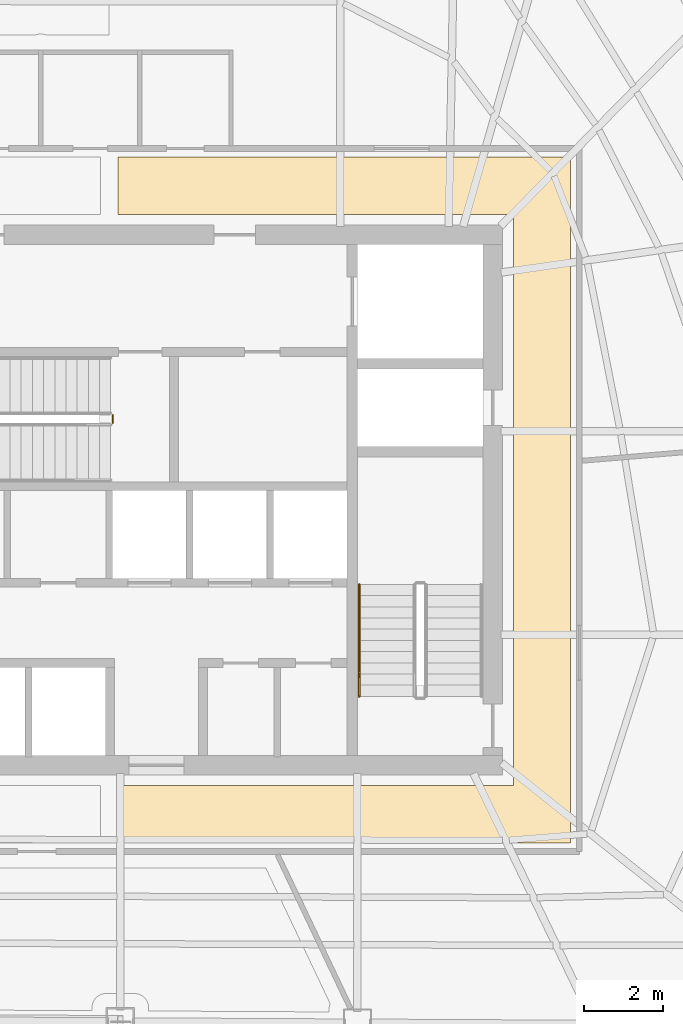
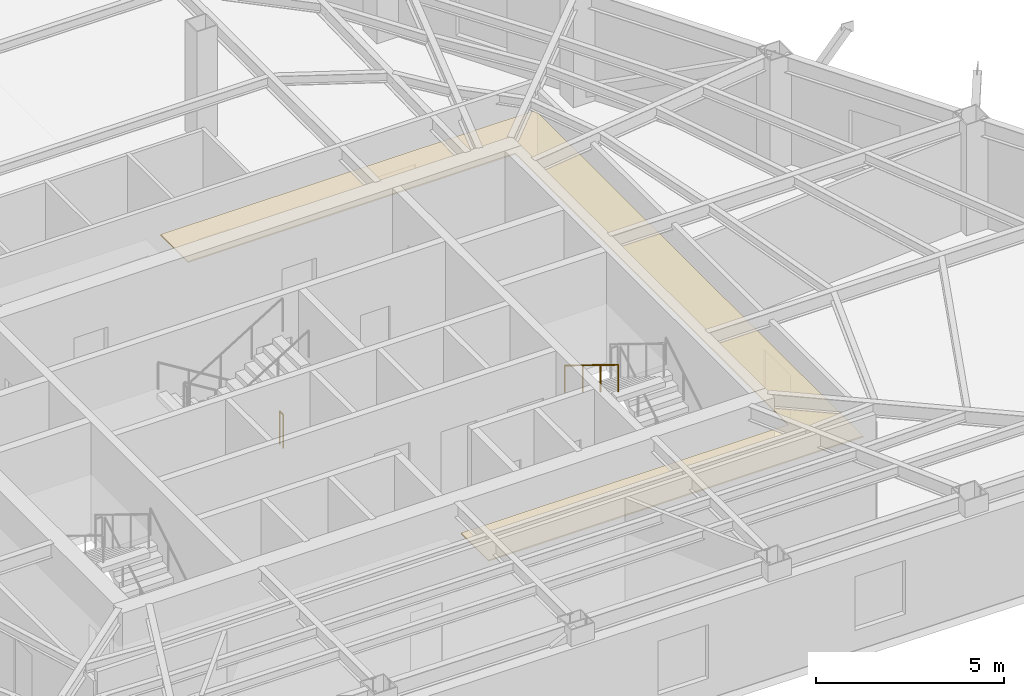
# One storey, part 11 of 13: 2 railings, 1 covering.
"""IFC4 building model written with IfcOpenShell, lengths in metres."""

from ifc_helpers import new_model, si_unit, direction, frame, origin, origin_2d, place, context, subcontext, project, spatial, polyline, circle, outline, extrude, material, layer, layer_set, type_object, element, save


model = new_model("IFC4")

# Units and contexts
model_context = context("Model", 3, precision=1e-05, world=origin(), true_north=direction((0.0, 1.0)))
body_context = subcontext(model_context, "Body", "Model", "MODEL_VIEW")
ifc_project = project(units=[si_unit("LENGTHUNIT", "METRE"), si_unit("AREAUNIT", "SQUARE_METRE"), si_unit("VOLUMEUNIT", "CUBIC_METRE"), si_unit("PLANEANGLEUNIT", "RADIAN"), si_unit("MASSUNIT", "GRAM", prefix="KILO")], contexts=[model_context])

# Site, building, storey
site_placement = place(None, origin())
site = spatial("IfcSite", under=ifc_project, at=site_placement, CompositionType="ELEMENT")
building_placement = place(site_placement, origin())
building = spatial("IfcBuilding", under=site, at=building_placement, Name="Kavelnor Concourse Tower", CompositionType="ELEMENT")
storey_placement = place(building_placement, frame((0.0, 0.0, 124.0)))
storey = spatial("IfcBuildingStorey", under=building, at=storey_placement, Name="L31", CompositionType="ELEMENT", Elevation=124.0)

# Covering
ifc_material_1 = material(Name="Mineral fibre acoustic ceiling tile")
ifc_layer = layer(ifc_material_1, 0.0400390625, Name="Mineral fibre acoustic ceiling tile")
ifc_layer_set = layer_set([ifc_layer], Name="Mineral fibre acoustic ceiling tile")
covering_type = type_object("IfcCoveringType", Name="COV-CEILING-ACOUSTIC", PredefinedType="CEILING", material=ifc_layer_set)
covering_placement = place(storey_placement, frame((0.0, 0.0, 2.75)))
element("IfcCovering", 1, at=covering_placement, inside=storey, type_object=covering_type, Name="L31 Suspended Acoustic Ceiling", PredefinedType="CEILING", context=body_context, shape_type="SweptSolid", body=[
    extrude(outline(polyline([(49.75, 7.3701171875), (38.22509765625, 7.3701171875), (38.22509765625, 8.830078125), (48.2900390625, 8.830078125), (48.2900390625, 23.3701171875), (38.22509765625, 23.3701171875), (38.22509765625, 24.830078125), (49.75, 24.830078125), (49.75, 7.3701171875)])), origin(), (0.0, 0.0, 1.0), 0.0400390625),
])

# Railings
ifc_material_2 = material(Name="Steel Grade 350", Category="steel")
railing_type_1 = type_object("IfcRailingType", Name="RLG-GUARD-1100", PredefinedType="GUARDRAIL", material=ifc_material_2)
railing_1_placement = place(storey_placement, frame((38.090087890625, 18.260009765625, 0.0)))
element("IfcRailing", 2, at=railing_1_placement, inside=storey, type_object=railing_type_1, Name="L31 ST3 stair guard 4", PredefinedType="GUARDRAIL", context=body_context, shape_type="SweptSolid", body=[
    extrude(circle(Radius=0.02392578125, at=origin_2d()), frame((0.0, 0.0, 1.076171875), z_axis=(0.0, -1.0, 0.0), x_axis=(1.0, 0.0, 0.0)), (0.0, 0.0, 1.0), 0.199951171875),
    extrude(circle(Radius=0.02099609375, at=origin_2d()), origin(), (0.0, 0.0, 1.0), 1.052001953125),
    extrude(circle(Radius=0.02099609375, at=origin_2d()), frame((0.0, -0.199951171875, 0.0)), (0.0, 0.0, 1.0), 1.052001953125),
])
railing_type_2 = type_object("IfcRailingType", Name="RLG-HANDRAIL-900", PredefinedType="HANDRAIL", material=ifc_material_2)
railing_2_placement = place(storey_placement, frame((44.3701171875, 13.949951171875, 2.10009765625)))
element("IfcRailing", 3, at=railing_2_placement, inside=storey, type_object=railing_type_2, Name="L31 ST2 stair handrail 2", PredefinedType="HANDRAIL", context=body_context, shape_type="SweptSolid", body=[
    extrude(circle(Radius=0.02392578125, at=origin_2d()), frame((0.0, 0.0, 0.8759765625), z_axis=(0.0, -0.852159232446, 0.523282564737), x_axis=(1.0, 0.0, 0.0)), (0.0, 0.0, 1.0), 3.34423828125),
    extrude(circle(Radius=0.02099609375, at=origin_2d()), origin(), (0.0, 0.0, 1.0), 0.851806640625),
    extrude(circle(Radius=0.02099609375, at=origin_2d()), frame((0.0, -0.949951171875, 0.583251953125)), (0.0, 0.0, 1.0), 0.851806640625),
    extrude(circle(Radius=0.02099609375, at=origin_2d()), frame((0.0, -1.89990234375, 1.166748046875)), (0.0, 0.0, 1.0), 0.851806640625),
    extrude(circle(Radius=0.02099609375, at=origin_2d()), frame((0.0, -2.849853515625, 1.75)), (0.0, 0.0, 1.0), 0.851806640625),
])

save(model, "model.ifc")
